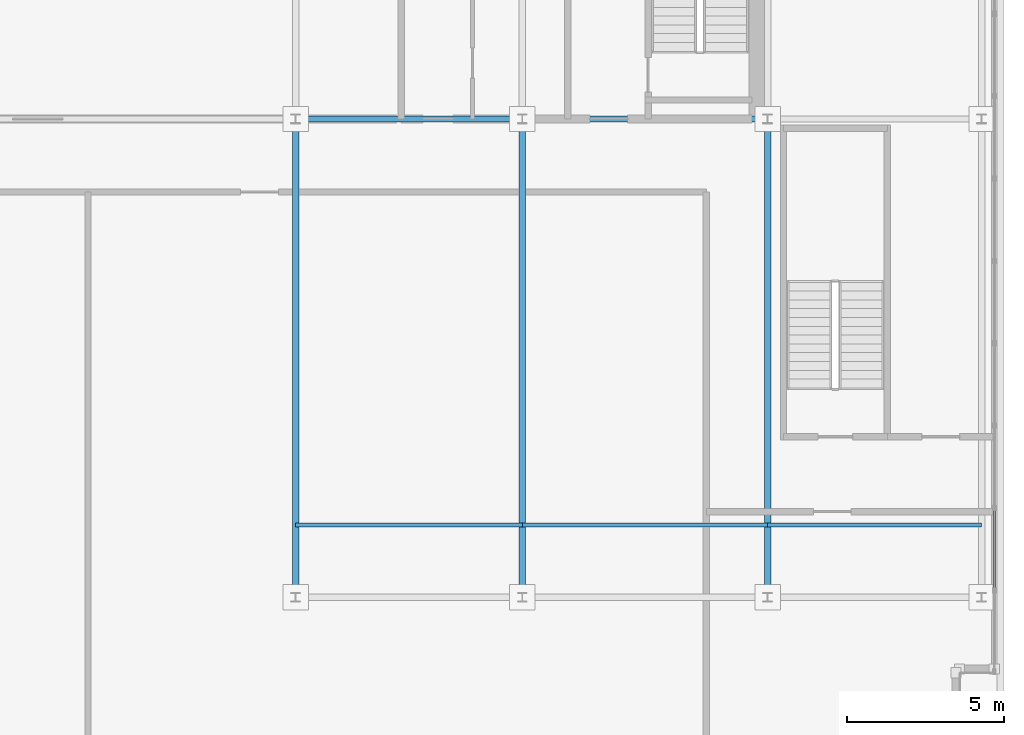
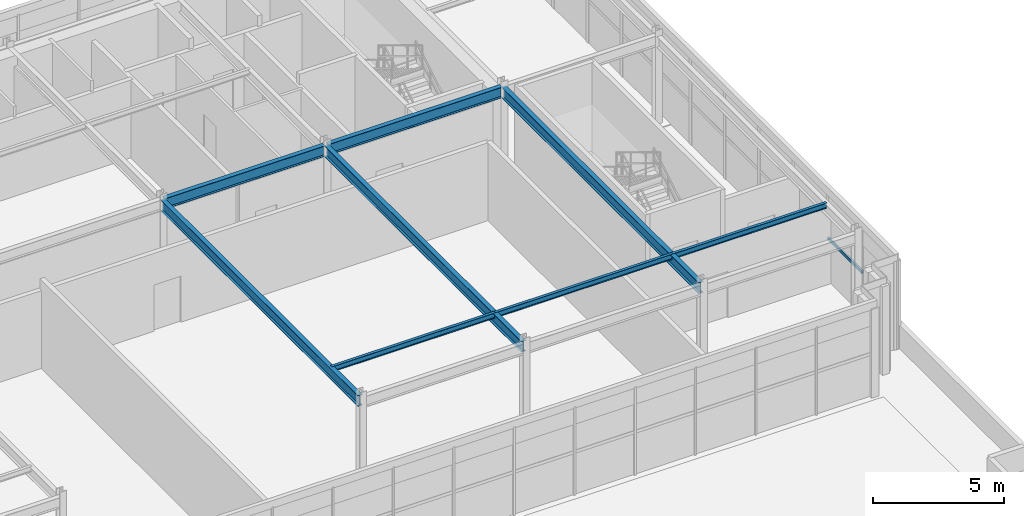
# One storey, part 14 of 38: 5 beams, 4 members, 1 element without a shape of its own.
"""IFC4 building model written with IfcOpenShell, lengths in metres."""

import ifcopenshell
import ifcopenshell.guid

model = None  # the IFC model being written
_history = None  # IfcOwnerHistory: only IFC2X3 demands one
_inside = {}  # id of a spatial element -> (the spatial element, [elements in it])
_under = {}  # id of a project, library or spatial element -> (it, [spatial elements below it])
_declared = {}  # id of a project -> (the project, [libraries it declares])
_typed = {}  # id of a type object -> (the type object, [elements of that type])
_made_of = {}  # id of a material, layer set ... -> (it, [elements and type objects made of it])


def new_model(schema):
    """Start an empty IFC model of exactly this schema.

    Asked for "IFC4X3", IfcOpenShell would pick the latest addendum, in which some entities
    have other attributes; the version numbers below select the first issue.
    IFC2X3 requires an IfcOwnerHistory on every rooted entity: one is made here for all.
    """
    global model, _history
    if schema == "IFC4X3":
        model = ifcopenshell.file(schema_version=(4, 3, 0, 0))
    else:
        model = ifcopenshell.file(schema=schema)
    _inside.clear()
    _under.clear()
    _declared.clear()
    _typed.clear()
    _made_of.clear()
    _history = None
    if model.schema == "IFC2X3":
        org = make("IfcOrganization", Name="unknown")
        user = make(
            "IfcPersonAndOrganization",
            ThePerson=make("IfcPerson", FamilyName="unknown"),
            TheOrganization=org,
        )
        app = make(
            "IfcApplication",
            ApplicationDeveloper=org,
            Version="unknown",
            ApplicationFullName="unknown",
            ApplicationIdentifier="unknown",
        )
        _history = make(
            "IfcOwnerHistory",
            OwningUser=user,
            OwningApplication=app,
            ChangeAction="ADDED",
            CreationDate=0,
        )
    return model


def make(cls, **values):
    """One entity of the class cls with the attributes given. An attribute that is None is left unset."""
    return model.create_entity(
        cls, **{name: value for name, value in values.items() if value is not None}
    )


def rooted(cls, **values):
    """An entity with a GlobalId (a new one), such as an element, a storey or a relation."""
    return make(cls, GlobalId=ifcopenshell.guid.new(), OwnerHistory=_history, **values)


def si_unit(unit_type, name, prefix=None):
    """IfcSIUnit, for example si_unit("LENGTHUNIT", "METRE", prefix="MILLI")."""
    return make("IfcSIUnit", UnitType=unit_type, Prefix=prefix, Name=name)


def assignment(units):
    """IfcUnitAssignment: the units of a project."""
    return None if units is None else make("IfcUnitAssignment", Units=units)


def point(xyz):
    """IfcCartesianPoint."""
    return None if xyz is None else make("IfcCartesianPoint", Coordinates=xyz)


def direction(xyz):
    """IfcDirection."""
    return None if xyz is None else make("IfcDirection", DirectionRatios=xyz)


def frame(location, z_axis=None, x_axis=None):
    """IfcAxis2Placement3D, a coordinate frame: its origin and axes. An axis left out is left unset."""
    return make(
        "IfcAxis2Placement3D",
        Location=point(location),
        Axis=direction(z_axis),
        RefDirection=direction(x_axis),
    )


def frame_2d(location, x_axis=None):
    """IfcAxis2Placement2D, a coordinate frame in the plane: its origin and x axis."""
    return make(
        "IfcAxis2Placement2D", Location=point(location), RefDirection=direction(x_axis)
    )


def origin():
    """The frame at (0, 0, 0) with its axes left unset."""
    return frame((0.0, 0.0, 0.0))


def origin_2d():
    """The frame at (0, 0) in the plane with its x axis left unset."""
    return frame_2d((0.0, 0.0))


def place(relative_to, where):
    """IfcLocalPlacement: puts the frame where relative to a parent placement (None: the world)."""
    return make(
        "IfcLocalPlacement", PlacementRelTo=relative_to, RelativePlacement=where
    )


def context(
    kind, dimensions, precision=None, world=None, true_north=None, identifier=None
):
    """IfcGeometricRepresentationContext, for example the 3D "Model" context."""
    return make(
        "IfcGeometricRepresentationContext",
        ContextIdentifier=identifier,
        ContextType=kind,
        CoordinateSpaceDimension=dimensions,
        Precision=precision,
        WorldCoordinateSystem=world,
        TrueNorth=true_north,
    )


def subcontext(parent, identifier, kind, view, scale=None):
    """IfcGeometricRepresentationSubContext, for example "Body" below "Model"."""
    return make(
        "IfcGeometricRepresentationSubContext",
        ContextIdentifier=identifier,
        ContextType=kind,
        ParentContext=parent,
        TargetScale=scale,
        TargetView=view,
    )


def project(units=None, contexts=None):
    """IfcProject with its units and contexts."""
    return rooted(
        "IfcProject",
        Name="project",
        RepresentationContexts=contexts,
        UnitsInContext=assignment(units),
    )


def spatial(cls, under=None, at=None, **own):
    """A site, building, storey or space (cls), placed at a placement, below another one or the project."""
    s = rooted(cls, ObjectPlacement=at, **own)
    if under is not None:
        _under.setdefault(under.id(), (under, []))[1].append(s)
    return s


def profile(cls, at=None, kind="AREA", **sizes):
    """A parametric profile (cls). Its sizes go by their IFC names, for example OverallWidth=200.0."""
    return make(cls, ProfileType=kind, Position=at, **sizes)


def hollow_rectangle(**sizes):
    """IfcRectangleHollowProfileDef."""
    return profile("IfcRectangleHollowProfileDef", **sizes)


def i_section(**sizes):
    """IfcIShapeProfileDef."""
    return profile("IfcIShapeProfileDef", **sizes)


def extrude(swept, where, along, depth):
    """IfcExtrudedAreaSolid: the profile swept, set in the frame where, extruded along a direction by depth."""
    return make(
        "IfcExtrudedAreaSolid",
        SweptArea=swept,
        Position=where,
        ExtrudedDirection=direction(along),
        Depth=depth,
    )


def shape(context_of_items, identifier, shape_type, items):
    """IfcShapeRepresentation: the items that make up one representation, for example the "Body"."""
    return make(
        "IfcShapeRepresentation",
        ContextOfItems=context_of_items,
        RepresentationIdentifier=identifier,
        RepresentationType=shape_type,
        Items=items,
    )


def source(mapping_origin, context_of_items, identifier, shape_type, items):
    """IfcRepresentationMap: a shape defined once, which mapped items show again and again."""
    return make(
        "IfcRepresentationMap",
        MappingOrigin=mapping_origin,
        MappedRepresentation=shape(context_of_items, identifier, shape_type, items),
    )


def transform(
    local_origin,
    x_axis=None,
    y_axis=None,
    z_axis=None,
    scale=None,
    scale2=None,
    scale3=None,
    uniform=True,
):
    """IfcCartesianTransformationOperator3D, or its non-uniform kind. x_axis, y_axis, z_axis: its Axis1, 2, 3."""
    if uniform:
        return make(
            "IfcCartesianTransformationOperator3D",
            Axis1=direction(x_axis),
            Axis2=direction(y_axis),
            LocalOrigin=point(local_origin),
            Scale=scale,
            Axis3=direction(z_axis),
        )
    return make(
        "IfcCartesianTransformationOperator3DnonUniform",
        Axis1=direction(x_axis),
        Axis2=direction(y_axis),
        LocalOrigin=point(local_origin),
        Scale=scale,
        Axis3=direction(z_axis),
        Scale2=scale2,
        Scale3=scale3,
    )


def mapped(mapping_source, mapping_target):
    """IfcMappedItem: shows the shape of a source again, moved by a transform."""
    return make(
        "IfcMappedItem", MappingSource=mapping_source, MappingTarget=mapping_target
    )


def material(Name=None, Category=None):
    """IfcMaterial."""
    return make("IfcMaterial", Name=Name, Category=Category)


def material_profile(
    of_material, cross_section, Name=None, Category=None, Priority=None
):
    """IfcMaterialProfile: a cross section and its material."""
    return make(
        "IfcMaterialProfile",
        Name=Name,
        Material=of_material,
        Profile=cross_section,
        Priority=Priority,
        Category=Category,
    )


def profile_set(profiles, Name=None, composite=None):
    """IfcMaterialProfileSet."""
    return make(
        "IfcMaterialProfileSet",
        Name=Name,
        MaterialProfiles=profiles,
        CompositeProfile=composite,
    )


def made_of(thing, what):
    """Note that an element or type object is made of a material, layer set ...; save() writes the relation."""
    if what is not None:
        _made_of.setdefault(what.id(), (what, []))[1].append(thing)
    return thing


def type_object(cls, material=None, **own):
    """A type object (cls), such as IfcWallType, which elements share."""
    return made_of(rooted(cls, **own), material)


def element(
    cls,
    number,
    at=None,
    inside=None,
    cuts=None,
    type_object=None,
    material=None,
    context=None,
    identifier="Body",
    shape_type=None,
    held_by="IfcProductDefinitionShape",
    body=None,
    shapes=None,
    **own,
):
    """One element of the class cls, such as IfcWall. Its Tag is "e" and its number.

    at: its placement. inside: the storey or other place that contains it. cuts: it is an
    opening in that element (IfcRelVoidsElement). A single representation is given by context,
    identifier, shape_type and body (its items); several are given by shapes. held_by: the class
    of the entity that holds the representations. save() writes the other relations.
    """
    e = rooted(cls, Tag="e%d" % number, ObjectPlacement=at, **own)
    if body is not None:
        shapes = [shape(context, identifier, shape_type, body)]
    if shapes is not None:
        e.Representation = make(held_by, Representations=shapes)
    if inside is not None:
        _inside.setdefault(inside.id(), (inside, []))[1].append(e)
    if cuts is not None:
        rooted(
            "IfcRelVoidsElement", RelatingBuildingElement=cuts, RelatedOpeningElement=e
        )
    if type_object is not None:
        _typed.setdefault(type_object.id(), (type_object, []))[1].append(e)
    return made_of(e, material)


def aggregate(whole, parts):
    """IfcRelAggregates: a whole, such as a stair, and the parts it consists of."""
    return rooted("IfcRelAggregates", RelatingObject=whole, RelatedObjects=parts)


def save(model, path):
    """Write the relations noted so far, then the file.

    IfcRelAggregates (storeys below a building ...), IfcRelContainedInSpatialStructure (elements
    in a storey), IfcRelDefinesByType, IfcRelAssociatesMaterial and IfcRelDeclares: one each for
    every whole, place, type object, material and project.
    """
    for whole, parts in _under.values():
        aggregate(whole, parts)
    for where, things in _inside.values():
        rooted(
            "IfcRelContainedInSpatialStructure",
            RelatedElements=things,
            RelatingStructure=where,
        )
    for kind, things in _typed.values():
        rooted("IfcRelDefinesByType", RelatedObjects=things, RelatingType=kind)
    for what, things in _made_of.values():
        rooted("IfcRelAssociatesMaterial", RelatedObjects=things, RelatingMaterial=what)
    for by, libraries in _declared.values():
        rooted("IfcRelDeclares", RelatingContext=by, RelatedDefinitions=libraries)
    model.write(path)


model = new_model("IFC4")

# Units and contexts
model_context = context("Model", 3, precision=1e-05, world=origin(), true_north=direction((0.0, 1.0)))
body_context = subcontext(model_context, "Body", "Model", "MODEL_VIEW")
ifc_project = project(units=[si_unit("LENGTHUNIT", "METRE"), si_unit("AREAUNIT", "SQUARE_METRE"), si_unit("VOLUMEUNIT", "CUBIC_METRE"), si_unit("PLANEANGLEUNIT", "RADIAN"), si_unit("MASSUNIT", "GRAM", prefix="KILO")], contexts=[model_context])

# Site, building, storey
site_placement = place(None, origin())
site = spatial("IfcSite", under=ifc_project, at=site_placement, CompositionType="ELEMENT")
building_placement = place(site_placement, origin())
building = spatial("IfcBuilding", under=site, at=building_placement, Name="Trelvane Seafront Commons", CompositionType="ELEMENT")
storey_placement = place(building_placement, frame((0.0, 0.0, 299.10009765625)))
storey = spatial("IfcBuildingStorey", under=building, at=storey_placement, Name="L78", CompositionType="ELEMENT", Elevation=299.10009765625)

# Beams
ifc_material_1 = material(Name="Steel SM355 (S355)", Category="steel")
ifc_material_profile_1 = material_profile(ifc_material_1, i_section(OverallWidth=0.199951171875, OverallDepth=0.5, WebThickness=0.010009765625, FlangeThickness=0.01611328125, at=origin_2d()), Name="H-500x200x10x16")
ifc_profile_set_1 = profile_set([ifc_material_profile_1], Name="Steel SM355 (S355)")
beam_type_1 = type_object("IfcBeamType", Name="STR-CROWN-FRAME-RING", PredefinedType="SPANDREL", material=ifc_profile_set_1)
shared_shape_1 = source(origin(), body_context, "Body", "SweptSolid", [
    extrude(i_section(OverallWidth=0.199951171875, OverallDepth=0.5, WebThickness=0.010009765625, FlangeThickness=0.01611328125, at=origin_2d()), origin(), (0.0, 0.0, 1.0), 7.050048828125),
])
beam_1_placement = place(storey_placement, frame((43.875, 33.39990234375, 3.869873046875), z_axis=(1.0, 0.0, 0.0), x_axis=(0.0, 1.0, 0.0)))
element("IfcBeam", 1, at=beam_1_placement, inside=storey, type_object=beam_type_1, Name="L78 CROWN FRAME Ring Beam G-12", PredefinedType="SPANDREL", context=body_context, shape_type="MappedRepresentation", body=[
    mapped(shared_shape_1, transform((0.0, 0.0, 0.0), x_axis=(1.0, 0.0, 0.0), y_axis=(0.0, 1.0, 0.0), z_axis=(0.0, 0.0, 1.0), scale=1.0)),
])
shared_shape_2 = source(origin(), body_context, "Body", "SweptSolid", [
    extrude(i_section(OverallWidth=0.199951171875, OverallDepth=0.5, WebThickness=0.010009765625, FlangeThickness=0.01611328125, at=origin_2d()), origin(), (0.0, 0.0, 1.0), 7.650146484375),
])
beam_2_placement = place(storey_placement, frame((51.074951171875, 33.39990234375, 3.869873046875), z_axis=(1.0, 0.0, 0.0), x_axis=(0.0, 1.0, 0.0)))
element("IfcBeam", 2, at=beam_2_placement, inside=storey, type_object=beam_type_1, Name="L78 CROWN FRAME Ring Beam G-13", PredefinedType="SPANDREL", context=body_context, shape_type="MappedRepresentation", body=[
    mapped(shared_shape_2, transform((0.0, 0.0, 0.0), x_axis=(1.0, 0.0, 0.0), y_axis=(0.0, 1.0, 0.0), z_axis=(0.0, 0.0, 1.0), scale=1.0)),
])
ifc_material_profile_2 = material_profile(ifc_material_1, i_section(OverallWidth=0.199951171875, OverallDepth=0.5, WebThickness=0.010009765625, FlangeThickness=0.01611328125, at=origin_2d()), Name="H-500x200x10x16")
ifc_profile_set_2 = profile_set([ifc_material_profile_2], Name="Steel SM355 (S355)")
beam_type_2 = type_object("IfcBeamType", Name="STR-BM-H500", PredefinedType="BEAM", material=ifc_profile_set_2)
shared_shape_3 = source(origin(), body_context, "Body", "SweptSolid", [
    extrude(i_section(OverallWidth=0.199951171875, OverallDepth=0.5, WebThickness=0.010009765625, FlangeThickness=0.01611328125, at=origin_2d()), origin(), (0.0, 0.0, 1.0), 15.050048828125),
])
for number, where, z_axis, x_axis, name in (
    (3, (43.800048828125, 18.27490234375, 3.869873046875), (0.0, 1.0, 0.0), (-1.0, 0.0, 0.0), "L78 Primary Girder G-30"),
    (4, (51.0, 18.27490234375, 3.869873046875), (0.0, 1.0, 0.0), (-1.0, 0.0, 0.0), "L78 Primary Girder G-32"),
    (5, (58.800048828125, 18.27490234375, 3.869873046875), (0.0, 1.0, 0.0), (-1.0, 0.0, 0.0), "L78 Primary Girder G-34"),
):
    element("IfcBeam", number, at=place(storey_placement, frame(where, z_axis=z_axis, x_axis=x_axis)), inside=storey, type_object=beam_type_2, Name=name, PredefinedType="BEAM", context=body_context, shape_type="MappedRepresentation", body=[
        mapped(shared_shape_3, transform((0.0, 0.0, 0.0), x_axis=(1.0, 0.0, 0.0), y_axis=(0.0, 1.0, 0.0), z_axis=(0.0, 0.0, 1.0), scale=1.0)),
    ])

# Members
ifc_material_profile_3 = material_profile(ifc_material_1, i_section(OverallWidth=0.125, OverallDepth=0.25, WebThickness=0.006103515625, FlangeThickness=0.009033203125, at=origin_2d()), Name="H-250x125x6x9")
ifc_profile_set_3 = profile_set([ifc_material_profile_3], Name="Steel SM355 (S355)")
member_type_1 = type_object("IfcMemberType", Name="STR-PUR-H250", PredefinedType="PURLIN", material=ifc_profile_set_3)
shared_shape_4 = source(origin(), body_context, "Body", "SweptSolid", [
    extrude(i_section(OverallWidth=0.125, OverallDepth=0.25, WebThickness=0.006103515625, FlangeThickness=0.009033203125, at=origin_2d()), origin(), (0.0, 0.0, 1.0), 6.800048828125),
])
member_1_placement = place(storey_placement, frame((58.800048828125, 20.5, 3.994873046875), z_axis=(1.0, 0.0, 0.0), x_axis=(0.0, 1.0, 0.0)))
element("IfcMember", 6, at=member_1_placement, inside=storey, type_object=member_type_1, Name="L78 Crown Roof Purlin PR-1", PredefinedType="PURLIN", context=body_context, shape_type="MappedRepresentation", body=[
    mapped(shared_shape_4, transform((0.0, 0.0, 0.0), x_axis=(1.0, 0.0, 0.0), y_axis=(0.0, 1.0, 0.0), z_axis=(0.0, 0.0, 1.0), scale=1.0)),
])
shared_shape_5 = source(origin(), body_context, "Body", "SweptSolid", [
    extrude(i_section(OverallWidth=0.125, OverallDepth=0.25, WebThickness=0.006103515625, FlangeThickness=0.009033203125, at=origin_2d()), origin(), (0.0, 0.0, 1.0), 7.199951171875),
])
member_2_placement = place(storey_placement, frame((43.800048828125, 20.5, 3.994873046875), z_axis=(1.0, 0.0, 0.0), x_axis=(0.0, 1.0, 0.0)))
element("IfcMember", 7, at=member_2_placement, inside=storey, type_object=member_type_1, Name="L78 Crown Roof Purlin PR-1", PredefinedType="PURLIN", context=body_context, shape_type="MappedRepresentation", body=[
    mapped(shared_shape_5, transform((0.0, 0.0, 0.0), x_axis=(1.0, 0.0, 0.0), y_axis=(0.0, 1.0, 0.0), z_axis=(0.0, 0.0, 1.0), scale=1.0)),
])
shared_shape_6 = source(origin(), body_context, "Body", "SweptSolid", [
    extrude(i_section(OverallWidth=0.125, OverallDepth=0.25, WebThickness=0.006103515625, FlangeThickness=0.009033203125, at=origin_2d()), origin(), (0.0, 0.0, 1.0), 7.800048828125),
])
member_3_placement = place(storey_placement, frame((51.0, 20.5, 3.994873046875), z_axis=(1.0, 0.0, 0.0), x_axis=(0.0, 1.0, 0.0)))
element("IfcMember", 8, at=member_3_placement, inside=storey, type_object=member_type_1, Name="L78 Crown Roof Purlin PR-1", PredefinedType="PURLIN", context=body_context, shape_type="MappedRepresentation", body=[
    mapped(shared_shape_6, transform((0.0, 0.0, 0.0), x_axis=(1.0, 0.0, 0.0), y_axis=(0.0, 1.0, 0.0), z_axis=(0.0, 0.0, 1.0), scale=1.0)),
])

# Curtain wall, member
ifc_material_2 = material(Name="Anodised pale-silver aluminium", Category="aluminium")
curtain_wall_type = type_object("IfcCurtainWallType", Name="ARCH-CW6-CROWN", PredefinedType="NOTDEFINED", material=ifc_material_2)
curtain_wall_placement = place(storey_placement, origin())
curtain_wall = element("IfcCurtainWall", 9, at=curtain_wall_placement, inside=storey, type_object=curtain_wall_type, Name="CW-L78-0126", PredefinedType="NOTDEFINED")
ifc_material_profile_4 = material_profile(ifc_material_2, hollow_rectangle(XDim=0.074951171875, YDim=0.139892578125, WallThickness=0.00390625, at=origin_2d()), Name="TRAN-75x140x4")
ifc_profile_set_4 = profile_set([ifc_material_profile_4], Name="Anodised pale-silver aluminium")
member_type_2 = type_object("IfcMemberType", Name="ARCH-CW-TRAN-140", PredefinedType="USERDEFINED", material=ifc_profile_set_4)
shared_shape_7 = source(origin(), body_context, "Body", "SweptSolid", [
    extrude(hollow_rectangle(XDim=0.074951171875, YDim=0.139892578125, WallThickness=0.00390625, at=origin_2d()), origin(), (0.0, 0.0, 1.0), 2.59423828125),
])
member_4_placement = place(storey_placement, frame((66.0, 21.0244140625, 1.977783203125), z_axis=(0.0, -1.0, 0.0), x_axis=(1.0, 0.0, 0.0)))
member_4 = element("IfcMember", 10, at=member_4_placement, type_object=member_type_2, Name="CW-L78-0126-T09", ObjectType="TRANSOM", PredefinedType="USERDEFINED", context=body_context, shape_type="MappedRepresentation", body=[
    mapped(shared_shape_7, transform((0.0, 0.0, 0.0), x_axis=(1.0, 0.0, 0.0), y_axis=(0.0, 1.0, 0.0), z_axis=(0.0, 0.0, 1.0), scale=1.0)),
])
aggregate(curtain_wall, [member_4])

save(model, "model.ifc")
